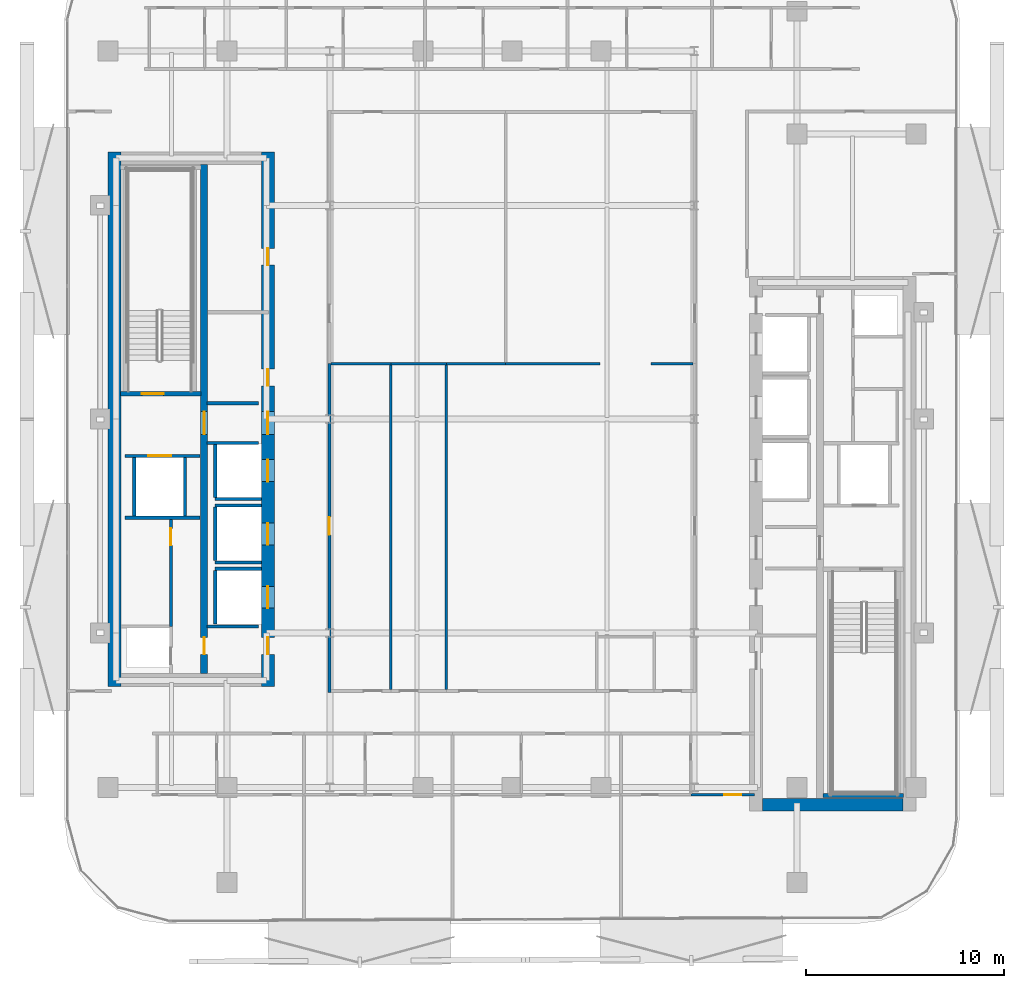
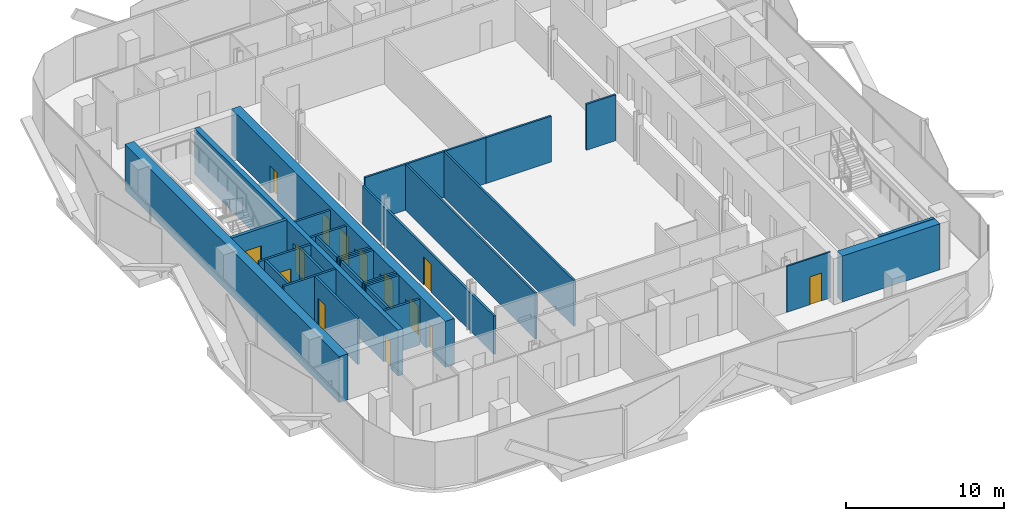
# One storey, part 4 of 17: 30 walls, 14 doors, 14 openings.
"""IFC4 building model written with IfcOpenShell, lengths in metres."""

from ifc_helpers import new_model, si_unit, direction, frame, frame_2d, origin, place, context, subcontext, project, spatial, rectangle, extrude, material, layer, layer_set, type_object, element, fill, save


model = new_model("IFC4")

# Units and contexts
model_context = context("Model", 3, precision=1e-05, world=origin(), true_north=direction((0.0, 1.0)))
body_context = subcontext(model_context, "Body", "Model", "MODEL_VIEW")
ifc_project = project(units=[si_unit("LENGTHUNIT", "METRE"), si_unit("AREAUNIT", "SQUARE_METRE"), si_unit("VOLUMEUNIT", "CUBIC_METRE"), si_unit("PLANEANGLEUNIT", "RADIAN"), si_unit("MASSUNIT", "GRAM", prefix="KILO")], contexts=[model_context])

# Site, building, storey
site_placement = place(None, origin())
site = spatial("IfcSite", under=ifc_project, at=site_placement, CompositionType="ELEMENT")
building_placement = place(site_placement, origin())
building = spatial("IfcBuilding", under=site, at=building_placement, Name="Khairoan Windgate Tower", CompositionType="ELEMENT")
storey_placement = place(building_placement, frame((0.0, 0.0, 191.60009765625)))
storey = spatial("IfcBuildingStorey", under=building, at=storey_placement, Name="L44", CompositionType="ELEMENT", Elevation=191.60009765625)

# Walls
ifc_material_1 = material(Name="Concrete C40/50", Category="concrete")
ifc_layer_1 = layer(ifc_material_1, 0.159912109375, Name="Concrete C40/50")
ifc_layer_set_1 = layer_set([ifc_layer_1], Name="Concrete C40/50")
wall_type_1 = type_object("IfcWallType", Name="Core and Hoistway Enclosure Wall", PredefinedType="STANDARD", material=ifc_layer_set_1)
wall_1_placement = place(storey_placement, frame((-14.989990234375, -4.0400390625, 0.0), z_axis=(0.0, 0.0, 1.0), x_axis=(1.0, 0.0, 0.0)))
element("IfcWall", 1, at=wall_1_placement, inside=storey, type_object=wall_type_1, Name="L44 Lift PL4 Hoistway Divider S", PredefinedType="STANDARD", context=body_context, shape_type="SweptSolid", body=[
    extrude(rectangle(XDim=2.340087890625, YDim=0.159912109375, at=frame_2d((1.169921875, 0.0))), origin(), (0.0, 0.0, 1.0), 3.539794921875),
])
wall_2_placement = place(storey_placement, frame((-14.989990234375, -3.949951171875, 0.0), z_axis=(0.0, 0.0, 1.0), x_axis=(0.0, 1.0, 0.0)))
element("IfcWall", 2, at=wall_2_placement, inside=storey, type_object=wall_type_1, Name="L44 Lift PL4 Hoistway Back Wall", PredefinedType="STANDARD", context=body_context, shape_type="SweptSolid", body=[
    extrude(rectangle(XDim=2.699951171875, YDim=0.159912109375, at=frame_2d((1.35009765625, 0.0))), origin(), (0.0, 0.0, 1.0), 3.539794921875),
])
for number, where, z_axis, x_axis, name in (
    (3, (-14.989990234375, -7.239990234375, 0.0), (0.0, 0.0, 1.0), (1.0, 0.0, 0.0), "L44 Lift PL5 Hoistway Divider S"),
    (4, (-14.989990234375, -4.360107421875, 0.0), (0.0, 0.0, 1.0), (1.0, 0.0, 0.0), "L44 Lift PL5 Hoistway Divider N"),
):
    element("IfcWall", number, at=place(storey_placement, frame(where, z_axis=z_axis, x_axis=x_axis)), inside=storey, type_object=wall_type_1, Name=name, PredefinedType="STANDARD", context=body_context, shape_type="SweptSolid", body=[
        extrude(rectangle(XDim=2.340087890625, YDim=0.159912109375, at=frame_2d((1.169921875, 0.0))), origin(), (0.0, 0.0, 1.0), 3.539794921875),
    ])
wall_3_placement = place(storey_placement, frame((-14.989990234375, -7.14990234375, 0.0), z_axis=(0.0, 0.0, 1.0), x_axis=(0.0, 1.0, 0.0)))
element("IfcWall", 5, at=wall_3_placement, inside=storey, type_object=wall_type_1, Name="L44 Lift PL5 Hoistway Back Wall", PredefinedType="STANDARD", context=body_context, shape_type="SweptSolid", body=[
    extrude(rectangle(XDim=2.699951171875, YDim=0.159912109375, at=frame_2d((1.35009765625, 0.0))), origin(), (0.0, 0.0, 1.0), 3.539794921875),
])
wall_4_placement = place(storey_placement, frame((-14.989990234375, -7.56005859375, 0.0), z_axis=(0.0, 0.0, 1.0), x_axis=(1.0, 0.0, 0.0)))
element("IfcWall", 6, at=wall_4_placement, inside=storey, type_object=wall_type_1, Name="L44 Lift PL6 Hoistway Divider N", PredefinedType="STANDARD", context=body_context, shape_type="SweptSolid", body=[
    extrude(rectangle(XDim=2.340087890625, YDim=0.159912109375, at=frame_2d((1.169921875, 0.0))), origin(), (0.0, 0.0, 1.0), 3.539794921875),
])
wall_5_placement = place(storey_placement, frame((-14.989990234375, -10.35009765625, 0.0), z_axis=(0.0, 0.0, 1.0), x_axis=(0.0, 1.0, 0.0)))
element("IfcWall", 7, at=wall_5_placement, inside=storey, type_object=wall_type_1, Name="L44 Lift PL6 Hoistway Back Wall", PredefinedType="STANDARD", context=body_context, shape_type="SweptSolid", body=[
    extrude(rectangle(XDim=2.7001953125, YDim=0.159912109375, at=frame_2d((1.35009765625, 0.0))), origin(), (0.0, 0.0, 1.0), 3.539794921875),
])

# Wall, opening, door
wall_6_placement = place(storey_placement, frame((-19.550048828125, -1.860107421875, 0.0), z_axis=(0.0, 0.0, 1.0), x_axis=(1.0, 0.0, 0.0)))
wall_6 = element("IfcWall", 8, at=wall_6_placement, inside=storey, type_object=wall_type_1, Name="L44 Core Shaft Wall SW-FL2-L44", PredefinedType="STANDARD", context=body_context, shape_type="SweptSolid", body=[
    extrude(rectangle(XDim=3.800048828125, YDim=0.159912109375, at=frame_2d((1.89990234375, 0.0))), origin(), (0.0, 0.0, 1.0), 3.539794921875),
])
opening_1_placement = place(wall_6_placement, frame((1.179931640625, 0.0, 0.0)))
opening_1 = element("IfcOpeningElement", 9, at=opening_1_placement, cuts=wall_6, Name="Opening LD-FL", PredefinedType="OPENING", context=body_context, shape_type="SweptSolid", body=[
    extrude(rectangle(XDim=1.14990234375, YDim=2.199951171875, at=frame_2d((0.574951171875, 1.10009765625))), frame((0.0, 0.08984375, 0.0), z_axis=(0.0, -1.0, 0.0), x_axis=(1.0, 0.0, 0.0)), (0.0, 0.0, 1.0), 0.179931640625),
])
ifc_material_2 = material(Name="Steel S355", Category="steel")
door_type_1 = type_object("IfcDoorType", Name="Firefighting Lift Sliding Landing Door LD-FL 1150x2200", OperationType="DOUBLE_DOOR_SLIDING", PredefinedType="DOOR", material=ifc_material_2)
door_1_placement = place(opening_1_placement, origin())
door_1 = element("IfcDoor", 10, at=door_1_placement, inside=storey, type_object=door_type_1, Name="L44 Firefighting Lift FL2 Landing Door", OperationType="DOUBLE_DOOR_SLIDING", OverallHeight=2.199951171875, OverallWidth=1.14990234375, PredefinedType="DOOR", context=body_context, shape_type="SweptSolid", body=[
    extrude(rectangle(XDim=1.14990234375, YDim=2.199951171875, at=frame_2d((0.574951171875, 1.10009765625))), frame((0.0, 0.02490234375, 0.0), z_axis=(0.0, -1.0, 0.0), x_axis=(1.0, 0.0, 0.0)), (0.0, 0.0, 1.0), 0.050048828125),
])
fill(opening_1, door_1)

# Walls
wall_7_placement = place(storey_placement, frame((-19.550048828125, -4.97998046875, 0.0), z_axis=(0.0, 0.0, 1.0), x_axis=(1.0, 0.0, 0.0)))
element("IfcWall", 11, at=wall_7_placement, inside=storey, type_object=wall_type_1, Name="L44 Core Shaft Wall SW-FL2B-L44", PredefinedType="STANDARD", context=body_context, shape_type="SweptSolid", body=[
    extrude(rectangle(XDim=3.800048828125, YDim=0.159912109375, at=frame_2d((1.89990234375, 0.0))), origin(), (0.0, 0.0, 1.0), 3.539794921875),
])
for number, where, z_axis, x_axis, name in (
    (12, (-19.080078125, -4.89990234375, 0.0), (0.0, 0.0, 1.0), (0.0, 1.0, 0.0), "L44 Core Shaft Wall SW-FL2W-L44"),
    (13, (-16.52001953125, -4.89990234375, 0.0), (0.0, 0.0, 1.0), (0.0, 1.0, 0.0), "L44 Core Shaft Wall SW-FL2E-L44"),
):
    element("IfcWall", number, at=place(storey_placement, frame(where, z_axis=z_axis, x_axis=x_axis)), inside=storey, type_object=wall_type_1, Name=name, PredefinedType="STANDARD", context=body_context, shape_type="SweptSolid", body=[
        extrude(rectangle(XDim=2.9599609375, YDim=0.159912109375, at=frame_2d((1.47998046875, 0.0))), origin(), (0.0, 0.0, 1.0), 3.539794921875),
    ])
for number, where, z_axis, x_axis, name in (
    (14, (-15.39990234375, 0.800048828125, 0.0), (0.0, 0.0, 1.0), (1.0, 0.0, 0.0), "L44 Core Shaft Wall SW-WV1-L44"),
    (15, (-15.39990234375, -1.199951171875, 0.0), (0.0, 0.0, 1.0), (1.0, 0.0, 0.0), "L44 Core Shaft Wall SW-WV2-L44"),
    (16, (-15.39990234375, -10.47998046875, 0.0), (0.0, 0.0, 1.0), (1.0, 0.0, 0.0), "L44 Core Shaft Wall SW-WSV-L44"),
):
    element("IfcWall", number, at=place(storey_placement, frame(where, z_axis=z_axis, x_axis=x_axis)), inside=storey, type_object=wall_type_1, Name=name, PredefinedType="STANDARD", context=body_context, shape_type="SweptSolid", body=[
        extrude(rectangle(XDim=2.599853515625, YDim=0.159912109375, at=frame_2d((1.2998046875, 0.0))), origin(), (0.0, 0.0, 1.0), 3.539794921875),
    ])
ifc_material_3 = material(Name="Acoustic Fire-Rated Gypsum Partition", Category="gypsum")
ifc_layer_2 = layer(ifc_material_3, 0.139892578125, Name="Acoustic Fire-Rated Gypsum Partition")
ifc_layer_set_2 = layer_set([ifc_layer_2], Name="Acoustic Fire-Rated Gypsum Partition")
wall_type_2 = type_object("IfcWallType", Name="Inter-Tenancy Compartment Wall", PredefinedType="PARTITIONING", material=ifc_layer_set_2)
wall_8_placement = place(storey_placement, frame((-6.1201171875, -13.64501953125, 0.0), z_axis=(0.0, 0.0, 1.0), x_axis=(0.0, 1.0, 0.0)))
element("IfcWall", 17, at=wall_8_placement, inside=storey, type_object=wall_type_2, Name="L44 Interior Partition 044", PredefinedType="PARTITIONING", context=body_context, shape_type="SweptSolid", body=[
    extrude(rectangle(XDim=16.375, YDim=0.139892578125, at=frame_2d((8.1875, 0.0))), origin(), (0.0, 0.0, 1.0), 3.539794921875),
])
wall_9_placement = place(storey_placement, frame((-9.14501953125, 2.800048828125, 0.0), z_axis=(0.0, 0.0, 1.0), x_axis=(1.0, 0.0, 0.0)))
element("IfcWall", 18, at=wall_9_placement, inside=storey, type_object=wall_type_2, Name="L44 Interior Partition 045", PredefinedType="PARTITIONING", context=body_context, shape_type="SweptSolid", body=[
    extrude(rectangle(XDim=3.02490234375, YDim=0.139892578125, at=frame_2d((1.512451171875, 0.0))), origin(), (0.0, 0.0, 1.0), 3.539794921875),
])
wall_10_placement = place(storey_placement, frame((-3.320068359375, -13.64501953125, 0.0), z_axis=(0.0, 0.0, 1.0), x_axis=(0.0, 1.0, 0.0)))
element("IfcWall", 19, at=wall_10_placement, inside=storey, type_object=wall_type_2, Name="L44 Interior Partition 046", PredefinedType="PARTITIONING", context=body_context, shape_type="SweptSolid", body=[
    extrude(rectangle(XDim=16.375, YDim=0.139892578125, at=frame_2d((8.1875, 0.0))), origin(), (0.0, 0.0, 1.0), 3.539794921875),
])
wall_11_placement = place(storey_placement, frame((-6.1201171875, 2.800048828125, 0.0), z_axis=(0.0, 0.0, 1.0), x_axis=(1.0, 0.0, 0.0)))
element("IfcWall", 20, at=wall_11_placement, inside=storey, type_object=wall_type_2, Name="L44 Interior Partition 047", PredefinedType="PARTITIONING", context=body_context, shape_type="SweptSolid", body=[
    extrude(rectangle(XDim=2.800048828125, YDim=0.139892578125, at=frame_2d((1.39990234375, 0.0))), origin(), (0.0, 0.0, 1.0), 3.539794921875),
])
wall_12_placement = place(storey_placement, frame((-3.320068359375, 2.800048828125, 0.0), z_axis=(0.0, 0.0, 1.0), x_axis=(1.0, 0.0, 0.0)))
element("IfcWall", 21, at=wall_12_placement, inside=storey, type_object=wall_type_2, Name="L44 Interior Partition 049", PredefinedType="PARTITIONING", context=body_context, shape_type="SweptSolid", body=[
    extrude(rectangle(XDim=3.0, YDim=0.139892578125, at=frame_2d((1.5, 0.0))), origin(), (0.0, 0.0, 1.0), 3.539794921875),
])
wall_13_placement = place(storey_placement, frame((-0.320068359375, 2.800048828125, 0.0), z_axis=(0.0, 0.0, 1.0), x_axis=(1.0, 0.0, 0.0)))
element("IfcWall", 22, at=wall_13_placement, inside=storey, type_object=wall_type_2, Name="L44 Interior Partition 050", PredefinedType="PARTITIONING", context=body_context, shape_type="SweptSolid", body=[
    extrude(rectangle(XDim=4.760009765625, YDim=0.139892578125, at=frame_2d((2.3798828125, 0.0))), origin(), (0.0, 0.0, 1.0), 3.539794921875),
])
wall_14_placement = place(storey_placement, frame((7.02001953125, 2.800048828125, 0.0), z_axis=(0.0, 0.0, 1.0), x_axis=(1.0, 0.0, 0.0)))
element("IfcWall", 23, at=wall_14_placement, inside=storey, type_object=wall_type_2, Name="L44 Interior Partition 052", PredefinedType="PARTITIONING", context=body_context, shape_type="SweptSolid", body=[
    extrude(rectangle(XDim=2.125, YDim=0.139892578125, at=frame_2d((1.0625, 0.0))), origin(), (0.0, 0.0, 1.0), 3.539794921875),
])

# Wall, opening, door
ifc_material_4 = material(Name="Gypsum Stud Partition", Category="gypsum")
ifc_layer_3 = layer(ifc_material_4, 0.1201171875, Name="Gypsum Stud Partition")
ifc_layer_set_3 = layer_set([ifc_layer_3], Name="Gypsum Stud Partition")
wall_type_3 = type_object("IfcWallType", Name="Internal Room Partition Wall", PredefinedType="PARTITIONING", material=ifc_layer_set_3)
wall_15_placement = place(storey_placement, frame((9.0400390625, -18.969970703125, 0.0), z_axis=(0.0, 0.0, 1.0), x_axis=(1.0, 0.0, 0.0)))
wall_15 = element("IfcWall", 24, at=wall_15_placement, inside=storey, type_object=wall_type_3, Name="L44 Interior Partition 094", PredefinedType="PARTITIONING", context=body_context, shape_type="SweptSolid", body=[
    extrude(rectangle(XDim=3.199951171875, YDim=0.1201171875, at=frame_2d((1.60009765625, 0.0))), origin(), (0.0, 0.0, 1.0), 3.539794921875),
])
opening_2_placement = place(wall_15_placement, frame((1.677001953125, 0.0, 0.0)))
opening_2 = element("IfcOpeningElement", 25, at=opening_2_placement, cuts=wall_15, Name="Opening ID-RM", PredefinedType="OPENING", context=body_context, shape_type="SweptSolid", body=[
    extrude(rectangle(XDim=0.860107421875, YDim=2.14990234375, at=frame_2d((0.43017578125, 1.074951171875))), frame((0.0, 0.070068359375, 0.0), z_axis=(0.0, -1.0, 0.0), x_axis=(1.0, 0.0, 0.0)), (0.0, 0.0, 1.0), 0.14013671875),
])
ifc_material_5 = material(Name="Teak Veneer Timber Leaf", Category="wood")
door_type_2 = type_object("IfcDoorType", Name="Internal Bedroom and Office Door ID-RM 860x2150", OperationType="NOTDEFINED", PredefinedType="DOOR", material=ifc_material_5)
door_2_placement = place(opening_2_placement, origin())
door_2 = element("IfcDoor", 26, at=door_2_placement, inside=storey, type_object=door_type_2, Name="L44 L44-64-L44-65 Door", OperationType="SINGLE_SWING_RIGHT", OverallHeight=2.14990234375, OverallWidth=0.860107421875, PredefinedType="DOOR", context=body_context, shape_type="SweptSolid", body=[
    extrude(rectangle(XDim=0.860107421875, YDim=2.14990234375, at=frame_2d((0.43017578125, 1.074951171875))), frame((0.0, 0.02490234375, 0.0), z_axis=(0.0, -1.0, 0.0), x_axis=(1.0, 0.0, 0.0)), (0.0, 0.0, 1.0), 0.050048828125),
])
fill(opening_2, door_2)

ifc_material_6 = material(Name="Concrete C40/50", Category="concrete")
ifc_layer_4 = layer(ifc_material_6, 0.159912109375, Name="Concrete C40/50")
ifc_layer_set_4 = layer_set([ifc_layer_4], Name="Concrete C40/50")
wall_type_4 = type_object("IfcWallType", Name="Plant and Refuge Compartment Wall", PredefinedType="PARTITIONING", material=ifc_layer_set_4)
wall_16_placement = place(storey_placement, frame((-17.22998046875, -10.469970703125, 0.0), z_axis=(0.0, 0.0, 1.0), x_axis=(0.0, 1.0, 0.0)))
wall_16 = element("IfcWall", 27, at=wall_16_placement, inside=storey, type_object=wall_type_4, Name="L44 Interior Partition 002", PredefinedType="PARTITIONING", context=body_context, shape_type="SweptSolid", body=[
    extrude(rectangle(XDim=5.409912109375, YDim=0.159912109375, at=frame_2d((2.705078125, 0.0))), origin(), (0.0, 0.0, 1.0), 3.539794921875),
])
opening_3_placement = place(wall_16_placement, frame((4.10009765625, 0.0, 0.0)))
opening_3 = element("IfcOpeningElement", 28, at=opening_3_placement, cuts=wall_16, Name="Opening FD-SRV", PredefinedType="OPENING", context=body_context, shape_type="SweptSolid", body=[
    extrude(rectangle(XDim=0.85009765625, YDim=2.10009765625, at=frame_2d((0.425048828125, 1.050048828125))), frame((0.0, 0.08984375, 0.0), z_axis=(0.0, -1.0, 0.0), x_axis=(1.0, 0.0, 0.0)), (0.0, 0.0, 1.0), 0.179931640625),
])
ifc_material_7 = material(Name="Steel S355", Category="steel")
door_type_3 = type_object("IfcDoorType", Name="Core Service and Riser Fire Door FD-SRV 850x2100", OperationType="NOTDEFINED", PredefinedType="DOOR", material=ifc_material_7)
door_3_placement = place(opening_3_placement, origin())
door_3 = element("IfcDoor", 29, at=door_3_placement, inside=storey, type_object=door_type_3, Name="L44 L44-04-L44-06 Door", OperationType="SINGLE_SWING_RIGHT", OverallHeight=2.10009765625, OverallWidth=0.85009765625, PredefinedType="DOOR", context=body_context, shape_type="SweptSolid", body=[
    extrude(rectangle(XDim=0.85009765625, YDim=2.10009765625, at=frame_2d((0.425048828125, 1.050048828125))), frame((0.0, 0.02490234375, 0.0), z_axis=(0.0, -1.0, 0.0), x_axis=(1.0, 0.0, 0.0)), (0.0, 0.0, 1.0), 0.050048828125),
])
fill(opening_3, door_3)

ifc_material_8 = material(Name="Acoustic Fire-Rated Gypsum Partition", Category="gypsum")
ifc_layer_5 = layer(ifc_material_8, 0.14990234375, Name="Acoustic Fire-Rated Gypsum Partition")
ifc_layer_set_5 = layer_set([ifc_layer_5], Name="Acoustic Fire-Rated Gypsum Partition")
wall_type_5 = type_object("IfcWallType", Name="Rated Corridor Partition Wall", PredefinedType="PARTITIONING", material=ifc_layer_set_5)
wall_17_placement = place(storey_placement, frame((-9.219970703125, -13.794921875, 0.0), z_axis=(0.0, 0.0, 1.0), x_axis=(0.0, 1.0, 0.0)))
wall_17 = element("IfcWall", 30, at=wall_17_placement, inside=storey, type_object=wall_type_5, Name="L44 Interior Partition 011", PredefinedType="PARTITIONING", context=body_context, shape_type="SweptSolid", body=[
    extrude(rectangle(XDim=16.594970703125, YDim=0.14990234375, at=frame_2d((8.29736328125, 0.0))), origin(), (0.0, 0.0, 1.0), 2.951904296875),
])
opening_4_placement = place(wall_17_placement, frame((7.94873046875, 0.0, 0.0)))
opening_4 = element("IfcOpeningElement", 31, at=opening_4_placement, cuts=wall_17, Name="Opening FD-ENT", PredefinedType="OPENING", context=body_context, shape_type="SweptSolid", body=[
    extrude(rectangle(XDim=0.89990234375, YDim=2.14990234375, at=frame_2d((0.449951171875, 1.074951171875))), frame((0.0, 0.0849609375, 0.0), z_axis=(0.0, -1.0, 0.0), x_axis=(1.0, 0.0, 0.0)), (0.0, 0.0, 1.0), 0.169921875),
])
ifc_material_9 = material(Name="Timber Fire-Rated Core", Category="wood")
door_type_4 = type_object("IfcDoorType", Name="Unit and Office Fire Entrance Door FD-ENT 900x2150", OperationType="NOTDEFINED", PredefinedType="DOOR", material=ifc_material_9)
door_4_placement = place(opening_4_placement, origin())
door_4 = element("IfcDoor", 32, at=door_4_placement, inside=storey, type_object=door_type_4, Name="L44 L44-28-L44-32 Door", OperationType="SINGLE_SWING_RIGHT", OverallHeight=2.14990234375, OverallWidth=0.89990234375, PredefinedType="DOOR", context=body_context, shape_type="SweptSolid", body=[
    extrude(rectangle(XDim=0.89990234375, YDim=2.14990234375, at=frame_2d((0.449951171875, 1.074951171875))), frame((0.0, 0.02490234375, 0.0), z_axis=(0.0, -1.0, 0.0), x_axis=(1.0, 0.0, 0.0)), (0.0, 0.0, 1.0), 0.050048828125),
])
fill(opening_4, door_4)

# Walls
ifc_material_10 = material(Name="Concrete C60/75", Category="concrete")
ifc_layer_6 = layer(ifc_material_10, 0.64990234375, Name="Concrete C60/75")
ifc_layer_set_6 = layer_set([ifc_layer_6], Name="Concrete C60/75")
wall_type_6 = type_object("IfcWallType", Name="Shear Wall CW-E2 650mm", PredefinedType="SHEAR", material=ifc_layer_set_6)
wall_18_placement = place(storey_placement, frame((12.64990234375, -19.47509765625, 0.0), z_axis=(0.0, 0.0, 1.0), x_axis=(1.0, 0.0, 0.0)))
element("IfcWall", 33, at=wall_18_placement, inside=storey, type_object=wall_type_6, Name="E Core South Shear Wall L44", PredefinedType="SHEAR", context=body_context, shape_type="SweptSolid", body=[
    extrude(rectangle(XDim=7.10009765625, YDim=0.64990234375, at=frame_2d((3.550048828125, 0.0))), origin(), (0.0, 0.0, 1.0), 3.539794921875),
])
ifc_material_11 = material(Name="Concrete C60/75", Category="concrete")
ifc_layer_7 = layer(ifc_material_11, 0.64990234375, Name="Concrete C60/75")
ifc_layer_set_7 = layer_set([ifc_layer_7], Name="Concrete C60/75")
wall_type_7 = type_object("IfcWallType", Name="Shear Wall CW-W2 650mm", PredefinedType="SHEAR", material=ifc_layer_set_7)
wall_19_placement = place(storey_placement, frame((-20.074951171875, -13.5, 0.0), z_axis=(0.0, 0.0, 1.0), x_axis=(0.0, 1.0, 0.0)))
element("IfcWall", 34, at=wall_19_placement, inside=storey, type_object=wall_type_7, Name="W Core West Shear Wall L44", PredefinedType="SHEAR", context=body_context, shape_type="SweptSolid", body=[
    extrude(rectangle(XDim=27.0, YDim=0.64990234375, at=frame_2d((13.5, 0.0))), origin(), (0.0, 0.0, 1.0), 3.539794921875),
])

# Wall, openings, doors
wall_20_placement = place(storey_placement, frame((-12.324951171875, -13.5, 0.0), z_axis=(0.0, 0.0, 1.0), x_axis=(0.0, 1.0, 0.0)))
wall_20 = element("IfcWall", 35, at=wall_20_placement, inside=storey, type_object=wall_type_7, Name="W Core East Shear Wall L44", PredefinedType="SHEAR", context=body_context, shape_type="SweptSolid", body=[
    extrude(rectangle(XDim=27.0, YDim=0.64990234375, at=frame_2d((13.5, 0.0))), origin(), (0.0, 0.0, 1.0), 3.539794921875),
])
opening_5_placement = place(wall_20_placement, frame((10.35009765625, 0.0, 0.0)))
opening_5 = element("IfcOpeningElement", 36, at=opening_5_placement, cuts=wall_20, Name="Opening LD-PL", PredefinedType="OPENING", context=body_context, shape_type="SweptSolid", body=[
    extrude(rectangle(XDim=1.10009765625, YDim=2.199951171875, at=frame_2d((0.550048828125, 1.10009765625))), frame((0.0, 0.3349609375, 0.0), z_axis=(0.0, -1.0, 0.0), x_axis=(1.0, 0.0, 0.0)), (0.0, 0.0, 1.0), 0.669921875),
])
opening_6_placement = place(wall_20_placement, frame((7.14990234375, 0.0, 0.0)))
opening_6 = element("IfcOpeningElement", 37, at=opening_6_placement, cuts=wall_20, Name="Opening LD-PL", PredefinedType="OPENING", context=body_context, shape_type="SweptSolid", body=[
    extrude(rectangle(XDim=1.10009765625, YDim=2.199951171875, at=frame_2d((0.550048828125, 1.10009765625))), frame((0.0, 0.3349609375, 0.0), z_axis=(0.0, -1.0, 0.0), x_axis=(1.0, 0.0, 0.0)), (0.0, 0.0, 1.0), 0.669921875),
])
opening_7_placement = place(wall_20_placement, frame((3.949951171875, 0.0, 0.0)))
opening_7 = element("IfcOpeningElement", 38, at=opening_7_placement, cuts=wall_20, Name="Opening LD-PL", PredefinedType="OPENING", context=body_context, shape_type="SweptSolid", body=[
    extrude(rectangle(XDim=1.10009765625, YDim=2.199951171875, at=frame_2d((0.550048828125, 1.10009765625))), frame((0.0, 0.3349609375, 0.0), z_axis=(0.0, -1.0, 0.0), x_axis=(1.0, 0.0, 0.0)), (0.0, 0.0, 1.0), 0.669921875),
])
opening_8_placement = place(wall_20_placement, frame((15.175048828125, 0.0, 0.0)))
opening_8 = element("IfcOpeningElement", 39, at=opening_8_placement, cuts=wall_20, Name="Opening FD-SRV", PredefinedType="OPENING", context=body_context, shape_type="SweptSolid", body=[
    extrude(rectangle(XDim=0.85009765625, YDim=2.10009765625, at=frame_2d((0.425048828125, 1.050048828125))), frame((0.0, 0.3349609375, 0.0), z_axis=(0.0, -1.0, 0.0), x_axis=(1.0, 0.0, 0.0)), (0.0, 0.0, 1.0), 0.669921875),
])
opening_9_placement = place(wall_20_placement, frame((21.27490234375, 0.0, 0.0)))
opening_9 = element("IfcOpeningElement", 40, at=opening_9_placement, cuts=wall_20, Name="Opening FD-SRV", PredefinedType="OPENING", context=body_context, shape_type="SweptSolid", body=[
    extrude(rectangle(XDim=0.85009765625, YDim=2.10009765625, at=frame_2d((0.425048828125, 1.050048828125))), frame((0.0, 0.3349609375, 0.0), z_axis=(0.0, -1.0, 0.0), x_axis=(1.0, 0.0, 0.0)), (0.0, 0.0, 1.0), 0.669921875),
])
opening_10_placement = place(wall_20_placement, frame((12.72509765625, 0.0, 0.0)))
opening_10 = element("IfcOpeningElement", 41, at=opening_10_placement, cuts=wall_20, Name="Opening FD-FFL", PredefinedType="OPENING", context=body_context, shape_type="SweptSolid", body=[
    extrude(rectangle(XDim=1.14990234375, YDim=2.199951171875, at=frame_2d((0.574951171875, 1.10009765625))), frame((0.0, 0.3349609375, 0.0), z_axis=(0.0, -1.0, 0.0), x_axis=(1.0, 0.0, 0.0)), (0.0, 0.0, 1.0), 0.669921875),
])
opening_11_placement = place(wall_20_placement, frame((1.625, 0.0, 0.0)))
opening_11 = element("IfcOpeningElement", 42, at=opening_11_placement, cuts=wall_20, Name="Opening FD-SRV", PredefinedType="OPENING", context=body_context, shape_type="SweptSolid", body=[
    extrude(rectangle(XDim=0.85009765625, YDim=2.10009765625, at=frame_2d((0.425048828125, 1.050048828125))), frame((0.0, 0.3349609375, 0.0), z_axis=(0.0, -1.0, 0.0), x_axis=(1.0, 0.0, 0.0)), (0.0, 0.0, 1.0), 0.669921875),
])
door_5_placement = place(opening_8_placement, origin())
door_5 = element("IfcDoor", 43, at=door_5_placement, inside=storey, type_object=door_type_3, Name="L44 Upper Core Room Door B1-1", OperationType="SINGLE_SWING_LEFT", OverallHeight=2.10009765625, OverallWidth=0.85009765625, PredefinedType="DOOR", context=body_context, shape_type="SweptSolid", body=[
    extrude(rectangle(XDim=0.85009765625, YDim=2.10009765625, at=frame_2d((0.425048828125, 1.050048828125))), frame((0.0, 0.02490234375, 0.0), z_axis=(0.0, -1.0, 0.0), x_axis=(1.0, 0.0, 0.0)), (0.0, 0.0, 1.0), 0.050048828125),
])
fill(opening_8, door_5)
door_6_placement = place(opening_9_placement, origin())
door_6 = element("IfcDoor", 44, at=door_6_placement, inside=storey, type_object=door_type_3, Name="L44 Upper Core Room Door B1-2", OperationType="SINGLE_SWING_RIGHT", OverallHeight=2.10009765625, OverallWidth=0.85009765625, PredefinedType="DOOR", context=body_context, shape_type="SweptSolid", body=[
    extrude(rectangle(XDim=0.85009765625, YDim=2.10009765625, at=frame_2d((0.425048828125, 1.050048828125))), frame((0.0, 0.02490234375, 0.0), z_axis=(0.0, -1.0, 0.0), x_axis=(1.0, 0.0, 0.0)), (0.0, 0.0, 1.0), 0.050048828125),
])
fill(opening_9, door_6)
door_7_placement = place(opening_11_placement, origin())
door_7 = element("IfcDoor", 45, at=door_7_placement, inside=storey, type_object=door_type_3, Name="L44 West Core Service Vestibule Outer Door", OperationType="SINGLE_SWING_LEFT", OverallHeight=2.10009765625, OverallWidth=0.85009765625, PredefinedType="DOOR", context=body_context, shape_type="SweptSolid", body=[
    extrude(rectangle(XDim=0.85009765625, YDim=2.10009765625, at=frame_2d((0.425048828125, 1.050048828125))), frame((0.0, 0.02490234375, 0.0), z_axis=(0.0, -1.0, 0.0), x_axis=(1.0, 0.0, 0.0)), (0.0, 0.0, 1.0), 0.050048828125),
])
fill(opening_11, door_7)
ifc_material_12 = material(Name="Steel S355", Category="steel")
door_type_5 = type_object("IfcDoorType", Name="Firefighting Lobby Fire Door FD-FFL 1150x2200", OperationType="NOTDEFINED", PredefinedType="DOOR", material=ifc_material_12)
door_8_placement = place(opening_10_placement, origin())
door_8 = element("IfcDoor", 46, at=door_8_placement, inside=storey, type_object=door_type_5, Name="L44 West Core Vestibule Entry Door", OperationType="SINGLE_SWING_LEFT", OverallHeight=2.199951171875, OverallWidth=1.14990234375, PredefinedType="DOOR", context=body_context, shape_type="SweptSolid", body=[
    extrude(rectangle(XDim=1.14990234375, YDim=2.199951171875, at=frame_2d((0.574951171875, 1.10009765625))), frame((0.0, 0.02490234375, 0.0), z_axis=(0.0, -1.0, 0.0), x_axis=(1.0, 0.0, 0.0)), (0.0, 0.0, 1.0), 0.050048828125),
])
fill(opening_10, door_8)
ifc_material_13 = material(Name="Anodised Bronze Aluminium 6063-T6", Category="aluminium")
door_type_6 = type_object("IfcDoorType", Name="Passenger Lift Sliding Landing Door LD-PL 1100x2200", OperationType="DOUBLE_DOOR_SLIDING", PredefinedType="DOOR", material=ifc_material_13)
door_9_placement = place(opening_5_placement, origin())
door_9 = element("IfcDoor", 47, at=door_9_placement, inside=storey, type_object=door_type_6, Name="L44 Lift PL4 Sliding Landing Door", OperationType="DOUBLE_DOOR_SLIDING", OverallHeight=2.199951171875, OverallWidth=1.10009765625, PredefinedType="DOOR", context=body_context, shape_type="SweptSolid", body=[
    extrude(rectangle(XDim=1.10009765625, YDim=2.199951171875, at=frame_2d((0.550048828125, 1.10009765625))), frame((0.0, 0.02490234375, 0.0), z_axis=(0.0, -1.0, 0.0), x_axis=(1.0, 0.0, 0.0)), (0.0, 0.0, 1.0), 0.050048828125),
])
fill(opening_5, door_9)
door_10_placement = place(opening_6_placement, origin())
door_10 = element("IfcDoor", 48, at=door_10_placement, inside=storey, type_object=door_type_6, Name="L44 Lift PL5 Sliding Landing Door", OperationType="DOUBLE_DOOR_SLIDING", OverallHeight=2.199951171875, OverallWidth=1.10009765625, PredefinedType="DOOR", context=body_context, shape_type="SweptSolid", body=[
    extrude(rectangle(XDim=1.10009765625, YDim=2.199951171875, at=frame_2d((0.550048828125, 1.10009765625))), frame((0.0, 0.02490234375, 0.0), z_axis=(0.0, -1.0, 0.0), x_axis=(1.0, 0.0, 0.0)), (0.0, 0.0, 1.0), 0.050048828125),
])
fill(opening_6, door_10)
door_11_placement = place(opening_7_placement, origin())
door_11 = element("IfcDoor", 49, at=door_11_placement, inside=storey, type_object=door_type_6, Name="L44 Lift PL6 Sliding Landing Door", OperationType="DOUBLE_DOOR_SLIDING", OverallHeight=2.199951171875, OverallWidth=1.10009765625, PredefinedType="DOOR", context=body_context, shape_type="SweptSolid", body=[
    extrude(rectangle(XDim=1.10009765625, YDim=2.199951171875, at=frame_2d((0.550048828125, 1.10009765625))), frame((0.0, 0.02490234375, 0.0), z_axis=(0.0, -1.0, 0.0), x_axis=(1.0, 0.0, 0.0)), (0.0, 0.0, 1.0), 0.050048828125),
])
fill(opening_7, door_11)

ifc_material_14 = material(Name="Concrete C60/75", Category="concrete")
ifc_layer_8 = layer(ifc_material_14, 0.35009765625, Name="Concrete C60/75")
ifc_layer_set_8 = layer_set([ifc_layer_8], Name="Concrete C60/75")
wall_type_8 = type_object("IfcWallType", Name="Shear Wall SW-1 350mm", PredefinedType="SHEAR", material=ifc_layer_set_8)
wall_21_placement = place(storey_placement, frame((-15.550048828125, -12.85009765625, 0.0), z_axis=(0.0, 0.0, 1.0), x_axis=(0.0, 1.0, 0.0)))
wall_21 = element("IfcWall", 50, at=wall_21_placement, inside=storey, type_object=wall_type_8, Name="W Core Spine Shear Wall L44", PredefinedType="SHEAR", context=body_context, shape_type="SweptSolid", body=[
    extrude(rectangle(XDim=25.7001953125, YDim=0.35009765625, at=frame_2d((12.85009765625, 0.0))), origin(), (0.0, 0.0, 1.0), 3.539794921875),
])
opening_12_placement = place(wall_21_placement, frame((12.074951171875, 0.0, 0.0)))
opening_12 = element("IfcOpeningElement", 51, at=opening_12_placement, cuts=wall_21, Name="Opening FD-FFL", PredefinedType="OPENING", context=body_context, shape_type="SweptSolid", body=[
    extrude(rectangle(XDim=1.14990234375, YDim=2.199951171875, at=frame_2d((0.574951171875, 1.10009765625))), frame((0.0, 0.18505859375, 0.0), z_axis=(0.0, -1.0, 0.0), x_axis=(1.0, 0.0, 0.0)), (0.0, 0.0, 1.0), 0.3701171875),
])
opening_13_placement = place(wall_21_placement, frame((0.97509765625, 0.0, 0.0)))
opening_13 = element("IfcOpeningElement", 52, at=opening_13_placement, cuts=wall_21, Name="Opening FD-SRV", PredefinedType="OPENING", context=body_context, shape_type="SweptSolid", body=[
    extrude(rectangle(XDim=0.85009765625, YDim=2.10009765625, at=frame_2d((0.425048828125, 1.050048828125))), frame((0.0, 0.18505859375, 0.0), z_axis=(0.0, -1.0, 0.0), x_axis=(1.0, 0.0, 0.0)), (0.0, 0.0, 1.0), 0.3701171875),
])
door_12_placement = place(opening_13_placement, origin())
door_12 = element("IfcDoor", 53, at=door_12_placement, inside=storey, type_object=door_type_3, Name="L44 West Core Service Passage Inner Door", OperationType="SINGLE_SWING_RIGHT", OverallHeight=2.10009765625, OverallWidth=0.85009765625, PredefinedType="DOOR", context=body_context, shape_type="SweptSolid", body=[
    extrude(rectangle(XDim=0.85009765625, YDim=2.10009765625, at=frame_2d((0.425048828125, 1.050048828125))), frame((0.0, 0.02490234375, 0.0), z_axis=(0.0, -1.0, 0.0), x_axis=(1.0, 0.0, 0.0)), (0.0, 0.0, 1.0), 0.050048828125),
])
fill(opening_13, door_12)
door_13_placement = place(opening_12_placement, origin())
door_13 = element("IfcDoor", 54, at=door_13_placement, inside=storey, type_object=door_type_5, Name="L44 West Firefighting Lobby Fire Door", OperationType="SINGLE_SWING_RIGHT", OverallHeight=2.199951171875, OverallWidth=1.14990234375, PredefinedType="DOOR", context=body_context, shape_type="SweptSolid", body=[
    extrude(rectangle(XDim=1.14990234375, YDim=2.199951171875, at=frame_2d((0.574951171875, 1.10009765625))), frame((0.0, 0.02490234375, 0.0), z_axis=(0.0, -1.0, 0.0), x_axis=(1.0, 0.0, 0.0)), (0.0, 0.0, 1.0), 0.050048828125),
])
fill(opening_12, door_13)

# Wall
ifc_material_15 = material(Name="Concrete C50/60", Category="concrete")
ifc_layer_9 = layer(ifc_material_15, 0.219970703125, Name="Concrete C50/60")
ifc_layer_set_9 = layer_set([ifc_layer_9], Name="Concrete C50/60")
wall_type_9 = type_object("IfcWallType", Name="Shear Wall SW-ST 220mm", PredefinedType="SHEAR", material=ifc_layer_set_9)
wall_22_placement = place(storey_placement, frame((15.705078125, -19.010009765625, 0.0), z_axis=(0.0, 0.0, 1.0), x_axis=(1.0, 0.0, 0.0)))
element("IfcWall", 55, at=wall_22_placement, inside=storey, type_object=wall_type_9, Name="L44 Stair ST1 South Bearing Wall", PredefinedType="SHEAR", context=body_context, shape_type="SweptSolid", body=[
    extrude(rectangle(XDim=4.06494140625, YDim=0.219970703125, at=frame_2d((2.032470703125, 0.0))), origin(), (0.0, 0.0, 1.0), 3.539794921875),
])

# Wall, opening, door
wall_23_placement = place(storey_placement, frame((-19.77001953125, 1.2900390625, 0.0), z_axis=(0.0, 0.0, 1.0), x_axis=(1.0, 0.0, 0.0)))
wall_23 = element("IfcWall", 56, at=wall_23_placement, inside=storey, type_object=wall_type_9, Name="L44 Stair ST2 South Bearing Wall", PredefinedType="SHEAR", context=body_context, shape_type="SweptSolid", body=[
    extrude(rectangle(XDim=4.06494140625, YDim=0.219970703125, at=frame_2d((2.032470703125, 0.0))), origin(), (0.0, 0.0, 1.0), 3.539794921875),
])
opening_14_placement = place(wall_23_placement, frame((1.080078125, 0.0, 0.0)))
opening_14 = element("IfcOpeningElement", 57, at=opening_14_placement, cuts=wall_23, Name="Opening FD-ST", PredefinedType="OPENING", context=body_context, shape_type="SweptSolid", body=[
    extrude(rectangle(XDim=1.10009765625, YDim=2.199951171875, at=frame_2d((0.550048828125, 1.10009765625))), frame((0.0, 0.119873046875, 0.0), z_axis=(0.0, -1.0, 0.0), x_axis=(1.0, 0.0, 0.0)), (0.0, 0.0, 1.0), 0.239990234375),
])
ifc_material_16 = material(Name="Steel S355", Category="steel")
door_type_7 = type_object("IfcDoorType", Name="Smokeproof Stair Fire Door FD-ST 1100x2200", OperationType="NOTDEFINED", PredefinedType="DOOR", material=ifc_material_16)
door_14_placement = place(opening_14_placement, origin())
door_14 = element("IfcDoor", 58, at=door_14_placement, inside=storey, type_object=door_type_7, Name="L44 Stair ST2 Fire Door", OperationType="SINGLE_SWING_RIGHT", OverallHeight=2.199951171875, OverallWidth=1.10009765625, PredefinedType="DOOR", context=body_context, shape_type="SweptSolid", body=[
    extrude(rectangle(XDim=1.10009765625, YDim=2.199951171875, at=frame_2d((0.550048828125, 1.10009765625))), frame((0.0, 0.02490234375, 0.0), z_axis=(0.0, -1.0, 0.0), x_axis=(1.0, 0.0, 0.0)), (0.0, 0.0, 1.0), 0.050048828125),
])
fill(opening_14, door_14)

save(model, "model.ifc")
